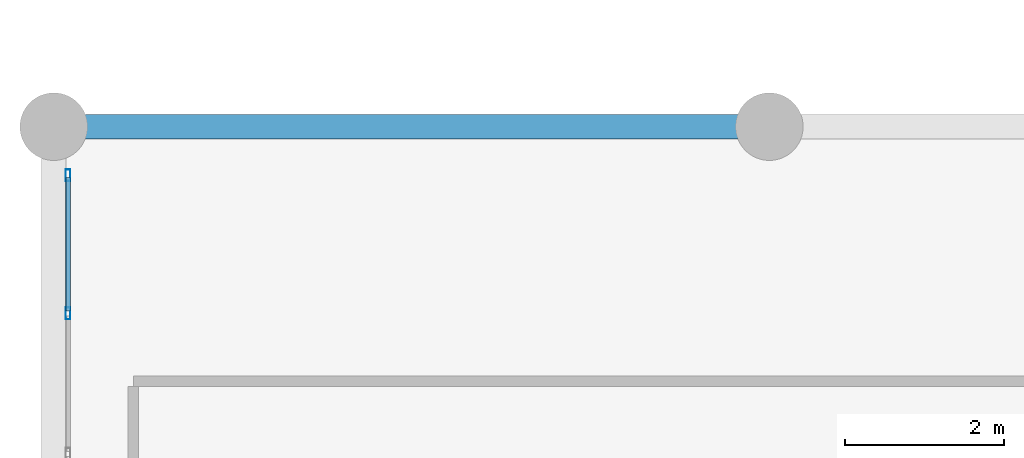
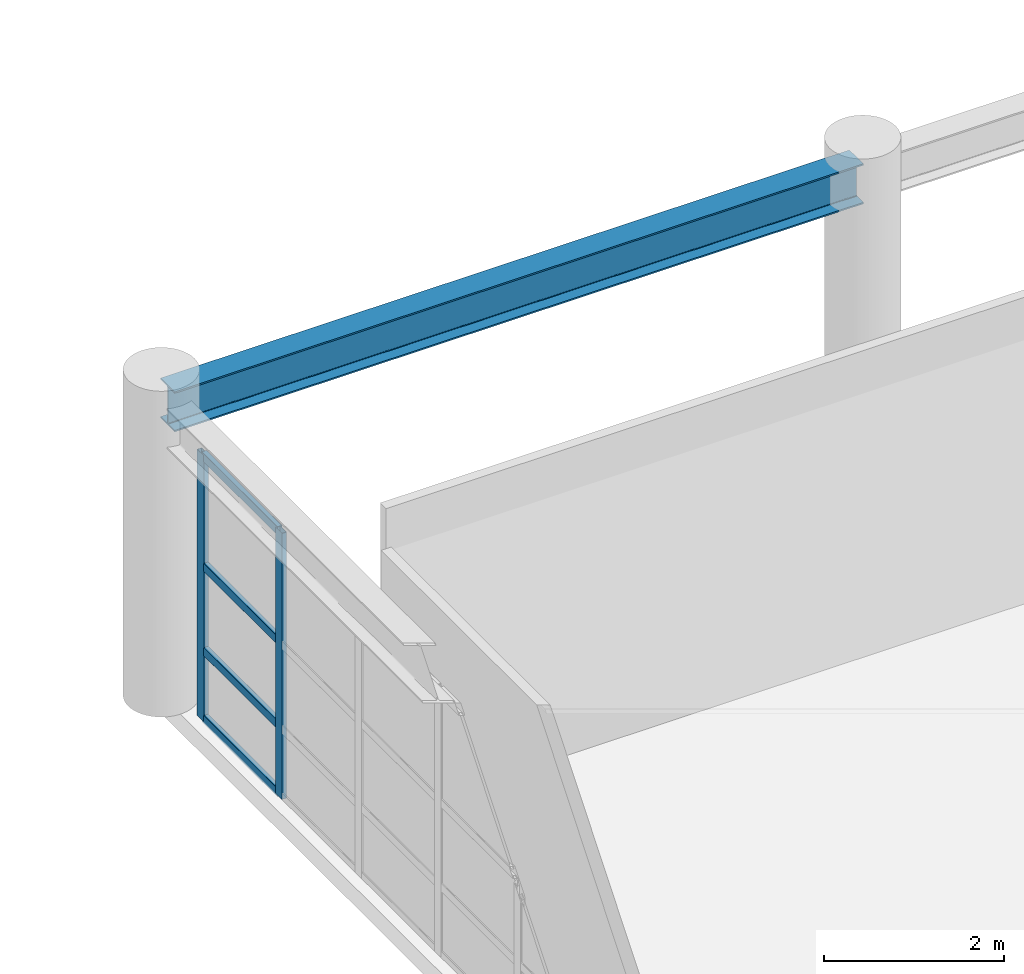
# One storey, part 23 of 133: 6 members, 1 beam, 1 element without a shape of its own.
"""IFC4 building model written with IfcOpenShell, lengths in metres."""

import ifcopenshell
import ifcopenshell.guid

model = None  # the IFC model being written
_history = None  # IfcOwnerHistory: only IFC2X3 demands one
_inside = {}  # id of a spatial element -> (the spatial element, [elements in it])
_under = {}  # id of a project, library or spatial element -> (it, [spatial elements below it])
_declared = {}  # id of a project -> (the project, [libraries it declares])
_typed = {}  # id of a type object -> (the type object, [elements of that type])
_made_of = {}  # id of a material, layer set ... -> (it, [elements and type objects made of it])


def new_model(schema):
    """Start an empty IFC model of exactly this schema.

    Asked for "IFC4X3", IfcOpenShell would pick the latest addendum, in which some entities
    have other attributes; the version numbers below select the first issue.
    IFC2X3 requires an IfcOwnerHistory on every rooted entity: one is made here for all.
    """
    global model, _history
    if schema == "IFC4X3":
        model = ifcopenshell.file(schema_version=(4, 3, 0, 0))
    else:
        model = ifcopenshell.file(schema=schema)
    _inside.clear()
    _under.clear()
    _declared.clear()
    _typed.clear()
    _made_of.clear()
    _history = None
    if model.schema == "IFC2X3":
        org = make("IfcOrganization", Name="unknown")
        user = make(
            "IfcPersonAndOrganization",
            ThePerson=make("IfcPerson", FamilyName="unknown"),
            TheOrganization=org,
        )
        app = make(
            "IfcApplication",
            ApplicationDeveloper=org,
            Version="unknown",
            ApplicationFullName="unknown",
            ApplicationIdentifier="unknown",
        )
        _history = make(
            "IfcOwnerHistory",
            OwningUser=user,
            OwningApplication=app,
            ChangeAction="ADDED",
            CreationDate=0,
        )
    return model


def make(cls, **values):
    """One entity of the class cls with the attributes given. An attribute that is None is left unset."""
    return model.create_entity(
        cls, **{name: value for name, value in values.items() if value is not None}
    )


def rooted(cls, **values):
    """An entity with a GlobalId (a new one), such as an element, a storey or a relation."""
    return make(cls, GlobalId=ifcopenshell.guid.new(), OwnerHistory=_history, **values)


def si_unit(unit_type, name, prefix=None):
    """IfcSIUnit, for example si_unit("LENGTHUNIT", "METRE", prefix="MILLI")."""
    return make("IfcSIUnit", UnitType=unit_type, Prefix=prefix, Name=name)


def assignment(units):
    """IfcUnitAssignment: the units of a project."""
    return None if units is None else make("IfcUnitAssignment", Units=units)


def point(xyz):
    """IfcCartesianPoint."""
    return None if xyz is None else make("IfcCartesianPoint", Coordinates=xyz)


def direction(xyz):
    """IfcDirection."""
    return None if xyz is None else make("IfcDirection", DirectionRatios=xyz)


def frame(location, z_axis=None, x_axis=None):
    """IfcAxis2Placement3D, a coordinate frame: its origin and axes. An axis left out is left unset."""
    return make(
        "IfcAxis2Placement3D",
        Location=point(location),
        Axis=direction(z_axis),
        RefDirection=direction(x_axis),
    )


def frame_2d(location, x_axis=None):
    """IfcAxis2Placement2D, a coordinate frame in the plane: its origin and x axis."""
    return make(
        "IfcAxis2Placement2D", Location=point(location), RefDirection=direction(x_axis)
    )


def origin():
    """The frame at (0, 0, 0) with its axes left unset."""
    return frame((0.0, 0.0, 0.0))


def origin_2d():
    """The frame at (0, 0) in the plane with its x axis left unset."""
    return frame_2d((0.0, 0.0))


def place(relative_to, where):
    """IfcLocalPlacement: puts the frame where relative to a parent placement (None: the world)."""
    return make(
        "IfcLocalPlacement", PlacementRelTo=relative_to, RelativePlacement=where
    )


def context(
    kind, dimensions, precision=None, world=None, true_north=None, identifier=None
):
    """IfcGeometricRepresentationContext, for example the 3D "Model" context."""
    return make(
        "IfcGeometricRepresentationContext",
        ContextIdentifier=identifier,
        ContextType=kind,
        CoordinateSpaceDimension=dimensions,
        Precision=precision,
        WorldCoordinateSystem=world,
        TrueNorth=true_north,
    )


def subcontext(parent, identifier, kind, view, scale=None):
    """IfcGeometricRepresentationSubContext, for example "Body" below "Model"."""
    return make(
        "IfcGeometricRepresentationSubContext",
        ContextIdentifier=identifier,
        ContextType=kind,
        ParentContext=parent,
        TargetScale=scale,
        TargetView=view,
    )


def project(units=None, contexts=None):
    """IfcProject with its units and contexts."""
    return rooted(
        "IfcProject",
        Name="project",
        RepresentationContexts=contexts,
        UnitsInContext=assignment(units),
    )


def spatial(cls, under=None, at=None, **own):
    """A site, building, storey or space (cls), placed at a placement, below another one or the project."""
    s = rooted(cls, ObjectPlacement=at, **own)
    if under is not None:
        _under.setdefault(under.id(), (under, []))[1].append(s)
    return s


def profile(cls, at=None, kind="AREA", **sizes):
    """A parametric profile (cls). Its sizes go by their IFC names, for example OverallWidth=200.0."""
    return make(cls, ProfileType=kind, Position=at, **sizes)


def hollow_rectangle(**sizes):
    """IfcRectangleHollowProfileDef."""
    return profile("IfcRectangleHollowProfileDef", **sizes)


def i_section(**sizes):
    """IfcIShapeProfileDef."""
    return profile("IfcIShapeProfileDef", **sizes)


def extrude(swept, where, along, depth):
    """IfcExtrudedAreaSolid: the profile swept, set in the frame where, extruded along a direction by depth."""
    return make(
        "IfcExtrudedAreaSolid",
        SweptArea=swept,
        Position=where,
        ExtrudedDirection=direction(along),
        Depth=depth,
    )


def shape(context_of_items, identifier, shape_type, items):
    """IfcShapeRepresentation: the items that make up one representation, for example the "Body"."""
    return make(
        "IfcShapeRepresentation",
        ContextOfItems=context_of_items,
        RepresentationIdentifier=identifier,
        RepresentationType=shape_type,
        Items=items,
    )


def material(Name=None, Category=None):
    """IfcMaterial."""
    return make("IfcMaterial", Name=Name, Category=Category)


def material_profile(
    of_material, cross_section, Name=None, Category=None, Priority=None
):
    """IfcMaterialProfile: a cross section and its material."""
    return make(
        "IfcMaterialProfile",
        Name=Name,
        Material=of_material,
        Profile=cross_section,
        Priority=Priority,
        Category=Category,
    )


def profile_set(profiles, Name=None, composite=None):
    """IfcMaterialProfileSet."""
    return make(
        "IfcMaterialProfileSet",
        Name=Name,
        MaterialProfiles=profiles,
        CompositeProfile=composite,
    )


def made_of(thing, what):
    """Note that an element or type object is made of a material, layer set ...; save() writes the relation."""
    if what is not None:
        _made_of.setdefault(what.id(), (what, []))[1].append(thing)
    return thing


def type_object(cls, material=None, **own):
    """A type object (cls), such as IfcWallType, which elements share."""
    return made_of(rooted(cls, **own), material)


def element(
    cls,
    number,
    at=None,
    inside=None,
    cuts=None,
    type_object=None,
    material=None,
    context=None,
    identifier="Body",
    shape_type=None,
    held_by="IfcProductDefinitionShape",
    body=None,
    shapes=None,
    **own,
):
    """One element of the class cls, such as IfcWall. Its Tag is "e" and its number.

    at: its placement. inside: the storey or other place that contains it. cuts: it is an
    opening in that element (IfcRelVoidsElement). A single representation is given by context,
    identifier, shape_type and body (its items); several are given by shapes. held_by: the class
    of the entity that holds the representations. save() writes the other relations.
    """
    e = rooted(cls, Tag="e%d" % number, ObjectPlacement=at, **own)
    if body is not None:
        shapes = [shape(context, identifier, shape_type, body)]
    if shapes is not None:
        e.Representation = make(held_by, Representations=shapes)
    if inside is not None:
        _inside.setdefault(inside.id(), (inside, []))[1].append(e)
    if cuts is not None:
        rooted(
            "IfcRelVoidsElement", RelatingBuildingElement=cuts, RelatedOpeningElement=e
        )
    if type_object is not None:
        _typed.setdefault(type_object.id(), (type_object, []))[1].append(e)
    return made_of(e, material)


def aggregate(whole, parts):
    """IfcRelAggregates: a whole, such as a stair, and the parts it consists of."""
    return rooted("IfcRelAggregates", RelatingObject=whole, RelatedObjects=parts)


def save(model, path):
    """Write the relations noted so far, then the file.

    IfcRelAggregates (storeys below a building ...), IfcRelContainedInSpatialStructure (elements
    in a storey), IfcRelDefinesByType, IfcRelAssociatesMaterial and IfcRelDeclares: one each for
    every whole, place, type object, material and project.
    """
    for whole, parts in _under.values():
        aggregate(whole, parts)
    for where, things in _inside.values():
        rooted(
            "IfcRelContainedInSpatialStructure",
            RelatedElements=things,
            RelatingStructure=where,
        )
    for kind, things in _typed.values():
        rooted("IfcRelDefinesByType", RelatedObjects=things, RelatingType=kind)
    for what, things in _made_of.values():
        rooted("IfcRelAssociatesMaterial", RelatedObjects=things, RelatingMaterial=what)
    for by, libraries in _declared.values():
        rooted("IfcRelDeclares", RelatingContext=by, RelatedDefinitions=libraries)
    model.write(path)


model = new_model("IFC4")

# Units and contexts
model_context = context("Model", 3, precision=1e-05, world=origin(), true_north=direction((0.0, 1.0)))
body_context = subcontext(model_context, "Body", "Model", "MODEL_VIEW")
ifc_project = project(units=[si_unit("LENGTHUNIT", "METRE"), si_unit("AREAUNIT", "SQUARE_METRE"), si_unit("VOLUMEUNIT", "CUBIC_METRE"), si_unit("PLANEANGLEUNIT", "RADIAN"), si_unit("MASSUNIT", "GRAM", prefix="KILO")], contexts=[model_context])

# Site, building, storey
site_placement = place(None, origin())
site = spatial("IfcSite", under=ifc_project, at=site_placement, CompositionType="ELEMENT")
building_placement = place(site_placement, origin())
building = spatial("IfcBuilding", under=site, at=building_placement, Name="Miravela Opera House", CompositionType="ELEMENT")
storey_placement = place(building_placement, frame((0.0, 0.0, 5.10009765625)))
storey = spatial("IfcBuildingStorey", under=building, at=storey_placement, Name="L01", CompositionType="ELEMENT", Elevation=5.10009765625)

# Curtain wall, members
ifc_material_1 = material(Name="Anodised architectural bronze aluminium 6063-T6", Category="aluminium")
curtain_wall_type = type_object("IfcCurtainWallType", Name="ARC-CW-07", PredefinedType="NOTDEFINED", material=ifc_material_1)
curtain_wall_placement = place(storey_placement, origin())
curtain_wall = element("IfcCurtainWall", 1, at=curtain_wall_placement, inside=storey, type_object=curtain_wall_type, Name="Courtyard Arcade Curtain Wall CW-L01-198", PredefinedType="NOTDEFINED")
ifc_material_profile_1 = material_profile(ifc_material_1, hollow_rectangle(XDim=0.06005859375, YDim=0.14990234375, WallThickness=0.00390625, InnerFilletRadius=0.001953125, OuterFilletRadius=0.00390625, at=origin_2d()), Name="CWM-60X150")
ifc_profile_set_1 = profile_set([ifc_material_profile_1])
member_type_1 = type_object("IfcMemberType", Name="ARC-CWM-150", PredefinedType="MULLION", material=ifc_profile_set_1)
member_1_placement = place(storey_placement, frame((0.179931640625, 25.652099609375, 0.0), z_axis=(0.0, 0.0, 1.0), x_axis=(-1.0, 0.0, 0.0)))
member_1 = element("IfcMember", 2, at=member_1_placement, type_object=member_type_1, Name="CW-07 mullion 5", PredefinedType="MULLION", context=body_context, shape_type="SweptSolid", body=[
    extrude(hollow_rectangle(XDim=0.06005859375, YDim=0.14990234375, WallThickness=0.00390625, InnerFilletRadius=0.001953125, OuterFilletRadius=0.00390625, at=origin_2d()), origin(), (0.0, 0.0, 1.0), 3.60986328125),
])
member_2_placement = place(storey_placement, frame((0.179931640625, 27.389892578125, 0.0), z_axis=(0.0, 0.0, 1.0), x_axis=(-1.0, 0.0, 0.0)))
member_2 = element("IfcMember", 3, at=member_2_placement, type_object=member_type_1, Name="CW-07 mullion 6", PredefinedType="MULLION", context=body_context, shape_type="SweptSolid", body=[
    extrude(hollow_rectangle(XDim=0.06005859375, YDim=0.14990234375, WallThickness=0.00390625, InnerFilletRadius=0.001953125, OuterFilletRadius=0.00390625, at=origin_2d()), origin(), (0.0, 0.0, 1.0), 3.60986328125),
])
ifc_material_profile_2 = material_profile(ifc_material_1, hollow_rectangle(XDim=0.06005859375, YDim=0.114990234375, WallThickness=0.00390625, InnerFilletRadius=0.001953125, OuterFilletRadius=0.00390625, at=origin_2d()), Name="CWT-60X115")
ifc_profile_set_2 = profile_set([ifc_material_profile_2])
member_type_2 = type_object("IfcMemberType", Name="ARC-CWT-115", PredefinedType="USERDEFINED", material=ifc_profile_set_2)
member_3_placement = place(storey_placement, frame((0.179931640625, 25.681884765625, 0.02978515625), z_axis=(0.0, 1.0, 0.0), x_axis=(-1.0, 0.0, 0.0)))
member_3 = element("IfcMember", 4, at=member_3_placement, type_object=member_type_2, Name="CW-07 transom 5.1", ObjectType="TRANSOM", PredefinedType="USERDEFINED", context=body_context, shape_type="SweptSolid", body=[
    extrude(hollow_rectangle(XDim=0.06005859375, YDim=0.114990234375, WallThickness=0.00390625, InnerFilletRadius=0.001953125, OuterFilletRadius=0.00390625, at=origin_2d()), origin(), (0.0, 0.0, 1.0), 1.67822265625),
])
member_4_placement = place(storey_placement, frame((0.179931640625, 25.681884765625, 0.949951171875), z_axis=(0.0, 1.0, 0.0), x_axis=(-1.0, 0.0, 0.0)))
member_4 = element("IfcMember", 5, at=member_4_placement, type_object=member_type_2, Name="CW-07 transom 5.2", ObjectType="TRANSOM", PredefinedType="USERDEFINED", context=body_context, shape_type="SweptSolid", body=[
    extrude(hollow_rectangle(XDim=0.06005859375, YDim=0.114990234375, WallThickness=0.00390625, InnerFilletRadius=0.001953125, OuterFilletRadius=0.00390625, at=origin_2d()), origin(), (0.0, 0.0, 1.0), 1.67822265625),
])
member_5_placement = place(storey_placement, frame((0.179931640625, 25.681884765625, 2.09375), z_axis=(0.0, 1.0, 0.0), x_axis=(-1.0, 0.0, 0.0)))
member_5 = element("IfcMember", 6, at=member_5_placement, type_object=member_type_2, Name="CW-07 transom 5.3", ObjectType="TRANSOM", PredefinedType="USERDEFINED", context=body_context, shape_type="SweptSolid", body=[
    extrude(hollow_rectangle(XDim=0.06005859375, YDim=0.114990234375, WallThickness=0.00390625, InnerFilletRadius=0.001953125, OuterFilletRadius=0.00390625, at=origin_2d()), origin(), (0.0, 0.0, 1.0), 1.67822265625),
])
member_6_placement = place(storey_placement, frame((0.179931640625, 25.681884765625, 3.579833984375), z_axis=(0.0, 1.0, 0.0), x_axis=(-1.0, 0.0, 0.0)))
member_6 = element("IfcMember", 7, at=member_6_placement, type_object=member_type_2, Name="CW-07 transom 5.4", ObjectType="TRANSOM", PredefinedType="USERDEFINED", context=body_context, shape_type="SweptSolid", body=[
    extrude(hollow_rectangle(XDim=0.06005859375, YDim=0.114990234375, WallThickness=0.00390625, InnerFilletRadius=0.001953125, OuterFilletRadius=0.00390625, at=origin_2d()), origin(), (0.0, 0.0, 1.0), 1.67822265625),
])
aggregate(curtain_wall, [member_1, member_2, member_3, member_4, member_5, member_6])

# Beam
ifc_material_2 = material(Name="Structural steel ASTM A992 Gr. 50", Category="steel")
ifc_material_profile_3 = material_profile(ifc_material_2, i_section(OverallWidth=0.31201171875, OverallDepth=0.54296875, WebThickness=0.0126953125, FlangeThickness=0.020263671875, FilletRadius=0.01611328125, at=origin_2d()), Name="W530X150")
ifc_profile_set_3 = profile_set([ifc_material_profile_3])
beam_type = type_object("IfcBeamType", Name="STR-BM-W530X150", PredefinedType="BEAM", material=ifc_profile_set_3)
beam_placement = place(storey_placement, frame((0.080078125, 28.0, 3.908447265625), z_axis=(1.0, 0.0, 0.0), x_axis=(0.0, 1.0, 0.0)))
element("IfcBeam", 8, at=beam_placement, inside=storey, type_object=beam_type, Name="Roof King-Post Transverse Tie Girder ROOF-V5-SOUTH T3.1", PredefinedType="BEAM", context=body_context, shape_type="SweptSolid", body=[
    extrude(i_section(OverallWidth=0.31201171875, OverallDepth=0.54296875, WebThickness=0.0126953125, FlangeThickness=0.020263671875, FilletRadius=0.01611328125, at=origin_2d()), origin(), (0.0, 0.0, 1.0), 8.83984375),
])

save(model, "model.ifc")
